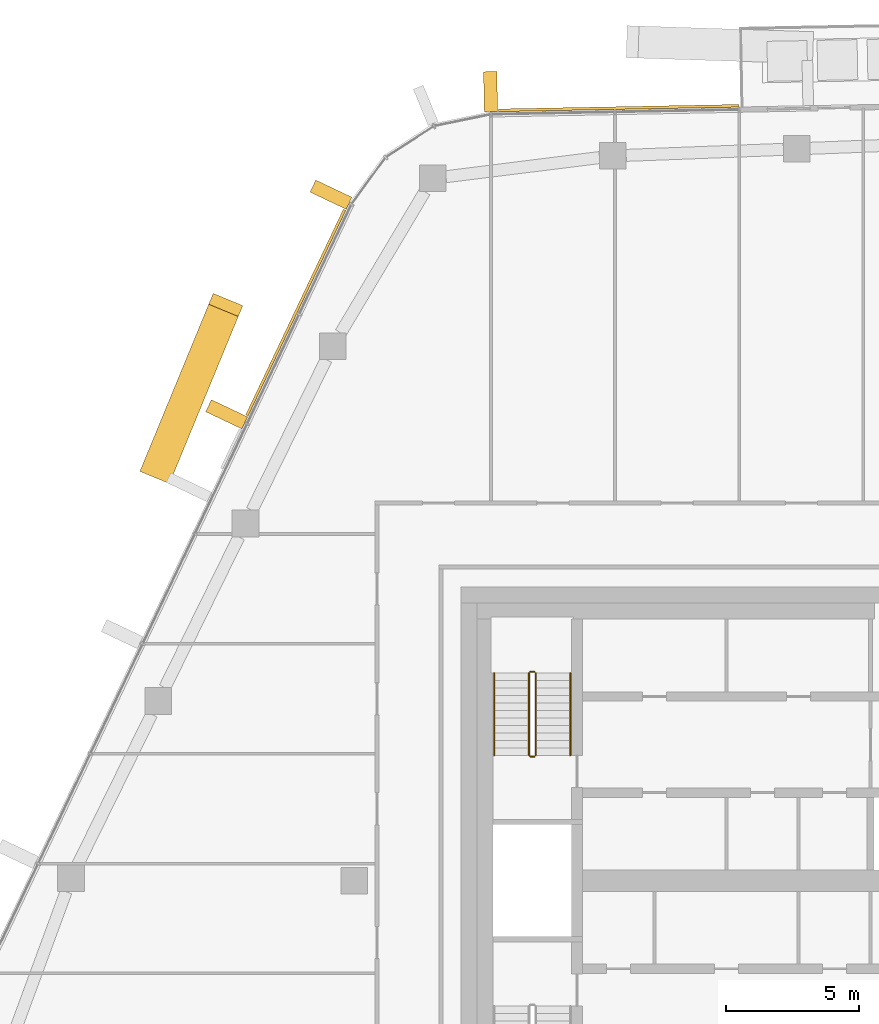
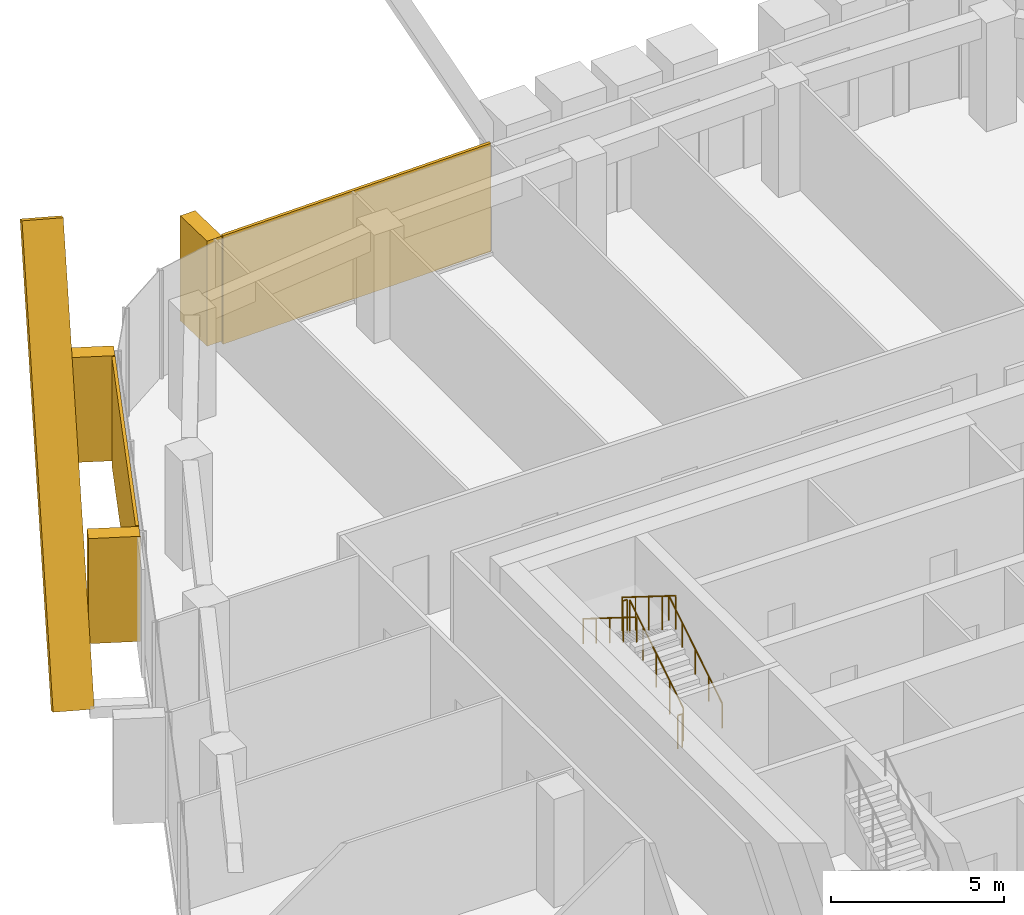
# One storey, part 22 of 24: 6 coverings, 6 railings, 2 elements without a shape of their own.
"""IFC4 building model written with IfcOpenShell, lengths in metres."""

from ifc_helpers import new_model, si_unit, direction, frame, origin, origin_2d, place, context, subcontext, project, spatial, rectangle, circle, extrude, material, layer, layer_set, material_profile, profile_set, type_object, element, aggregate, save


model = new_model("IFC4")

# Units and contexts
model_context = context("Model", 3, precision=1e-05, world=origin(), true_north=direction((0.0, 1.0)))
body_context = subcontext(model_context, "Body", "Model", "MODEL_VIEW")
ifc_project = project(units=[si_unit("LENGTHUNIT", "METRE"), si_unit("AREAUNIT", "SQUARE_METRE"), si_unit("VOLUMEUNIT", "CUBIC_METRE"), si_unit("PLANEANGLEUNIT", "RADIAN"), si_unit("MASSUNIT", "GRAM", prefix="KILO")], contexts=[model_context])

# Site, building, storey
site_placement = place(None, origin())
site = spatial("IfcSite", under=ifc_project, at=site_placement, CompositionType="ELEMENT")
building_placement = place(site_placement, origin())
building = spatial("IfcBuilding", under=site, at=building_placement, Name="Dongbaek Canopy Tower", CompositionType="ELEMENT")
storey_placement = place(building_placement, frame((0.0, 0.0, 298.39990234375)))
storey = spatial("IfcBuildingStorey", under=building, at=storey_placement, Name="L63", CompositionType="ELEMENT", Elevation=298.39990234375)

# Curtain wall, covering
ifc_material_1 = material(Name="Aluminium 6063-T6 pale anodised", Category="aluminium")
ifc_layer_1 = layer(ifc_material_1, 0.199951171875)
ifc_layer_set_1 = layer_set([ifc_layer_1], Name="CW-1 unitised tower curtain wall")
curtain_wall_type = type_object("IfcCurtainWallType", Name="CW-1 unitised tower curtain wall", PredefinedType="NOTDEFINED", material=ifc_layer_set_1)
curtain_wall_1_placement = place(storey_placement, origin())
curtain_wall_1 = element("IfcCurtainWall", 1, at=curtain_wall_1_placement, inside=storey, type_object=curtain_wall_type, Name="CW-1 curtain wall F2.1", PredefinedType="NOTDEFINED")
ifc_material_2 = material(Name="Aluminium 6063-T6 pale metal fin", Category="aluminium")
ifc_material_profile_1 = material_profile(ifc_material_2, rectangle(XDim=1.199951171875, YDim=0.5, at=origin_2d()), Name="Crease fin CF1 500 x 1200 pale metal")
ifc_profile_set_1 = profile_set([ifc_material_profile_1], Name="Aluminium 6063-T6 pale metal fin")
covering_type_1 = type_object("IfcCoveringType", Name="Crease fin CF1 500 x 1200 pale metal", PredefinedType="CLADDING", material=ifc_profile_set_1)
covering_1_placement = place(storey_placement, frame((-25.3974609375, 15.3134765625, -0.18994140625), z_axis=(0.180367059386, 0.437870944246, 0.880759195282), x_axis=(-0.924628086998, 0.380871239048, 0.0)))
covering_1 = element("IfcCovering", 2, at=covering_1_placement, type_object=covering_type_1, Name="Crease fin L63 L66 F2", PredefinedType="CLADDING", context=body_context, shape_type="SweptSolid", body=[
    extrude(rectangle(XDim=1.199951171875, YDim=0.5, at=origin_2d()), origin(), (0.0, 0.0, 1.0), 14.305908203125),
])

curtain_wall_2_placement = place(storey_placement, origin())
curtain_wall_2 = element("IfcCurtainWall", 3, at=curtain_wall_2_placement, inside=storey, type_object=curtain_wall_type, Name="CW-1 curtain wall F1.1", PredefinedType="NOTDEFINED")
ifc_material_3 = material(Name="Perforated aluminium 6063-T6 pale metal screen", Category="aluminium")
ifc_layer_2 = layer(ifc_material_3, 0.10009765625)
ifc_layer_set_2 = layer_set([ifc_layer_2], Name="Facet screen FS1 100 pale metal")
covering_type_2 = type_object("IfcCoveringType", Name="Facet screen FS1 100 pale metal", PredefinedType="CLADDING", material=ifc_layer_set_2)
covering_2_placement = place(storey_placement, frame((-8.0830078125, 28.95751953125, 0.0), z_axis=(0.0, 0.0, 1.0), x_axis=(-0.999821298126, -0.0189042803, 0.0)))
covering_2 = element("IfcCovering", 4, at=covering_2_placement, type_object=covering_type_2, Name="Facet screen L63 F1", PredefinedType="CLADDING", context=body_context, shape_type="SweptSolid", body=[
    extrude(rectangle(XDim=9.01220703125, YDim=0.10009765625, at=origin_2d()), origin(), (0.0, 0.0, 1.0), 3.820068359375),
])

# Covering
covering_3_placement = place(storey_placement, frame((-20.193603515625, 21.29248046875, 0.0), z_axis=(0.0, 0.0, 1.0), x_axis=(-0.42914323553, -0.903236449331, 0.0)))
covering_3 = element("IfcCovering", 5, at=covering_3_placement, type_object=covering_type_2, Name="Facet screen L63 F2", PredefinedType="CLADDING", context=body_context, shape_type="SweptSolid", body=[
    extrude(rectangle(XDim=8.53271484375, YDim=0.10009765625, at=origin_2d()), origin(), (0.0, 0.0, 1.0), 3.820068359375),
])

ifc_material_4 = material(Name="Aluminium 6063-T6 pale metal fin", Category="aluminium")
ifc_material_profile_2 = material_profile(ifc_material_4, rectangle(XDim=1.5, YDim=0.5, at=origin_2d()), Name="Fin FN1 500 x 1500 pale metal")
ifc_profile_set_2 = profile_set([ifc_material_profile_2], Name="Aluminium 6063-T6 pale metal fin")
covering_type_3 = type_object("IfcCoveringType", Name="Fin FN1 500 x 1500 pale metal", PredefinedType="CLADDING", material=ifc_profile_set_2)
covering_4_placement = place(storey_placement, frame((-12.8916015625, 29.57080078125, 0.1201171875), z_axis=(0.0, 0.0, 1.0), x_axis=(-0.018905076744, 0.999821283067, 0.0)))
covering_4 = element("IfcCovering", 6, at=covering_4_placement, type_object=covering_type_3, Name="Fin F1.1.3", PredefinedType="CLADDING", context=body_context, shape_type="SweptSolid", body=[
    extrude(rectangle(XDim=1.5, YDim=0.5, at=origin_2d()), origin(), (0.0, 0.0, 1.0), 3.699951171875),
])

aggregate(curtain_wall_2, [covering_4, covering_2])

covering_5_placement = place(storey_placement, frame((-18.8740234375, 25.710205078125, 0.1201171875), z_axis=(0.0, 0.0, 1.0), x_axis=(-0.903236413866, 0.429143310174, 0.0)))
covering_5 = element("IfcCovering", 7, at=covering_5_placement, type_object=covering_type_3, Name="Fin F2.1.1", PredefinedType="CLADDING", context=body_context, shape_type="SweptSolid", body=[
    extrude(rectangle(XDim=1.5, YDim=0.5, at=origin_2d()), origin(), (0.0, 0.0, 1.0), 3.699951171875),
])

covering_6_placement = place(storey_placement, frame((-22.78466796875, 17.47900390625, 0.1201171875), z_axis=(0.0, 0.0, 1.0), x_axis=(-0.903236413866, 0.429143310174, 0.0)))
covering_6 = element("IfcCovering", 8, at=covering_6_placement, type_object=covering_type_3, Name="Fin F2.1.3", PredefinedType="CLADDING", context=body_context, shape_type="SweptSolid", body=[
    extrude(rectangle(XDim=1.5, YDim=0.5, at=origin_2d()), origin(), (0.0, 0.0, 1.0), 3.699951171875),
])

aggregate(curtain_wall_1, [covering_5, covering_6, covering_1, covering_3])

# Railings
ifc_material_5 = material(Name="Stainless steel tube and balusters", Category="steel")
railing_type_1 = type_object("IfcRailingType", Name="Stair guard 1200", PredefinedType="GUARDRAIL", material=ifc_material_5)
railing_1_placement = place(storey_placement, frame((-11.199951171875, 4.699951171875, 0.175048828125)))
element("IfcRailing", 9, at=railing_1_placement, inside=storey, type_object=railing_type_1, Name="L63 ST-C stair guard 1", PredefinedType="GUARDRAIL", context=body_context, shape_type="SweptSolid", body=[
    extrude(circle(Radius=0.02392578125, at=origin_2d()), frame((0.0, 0.0, 1.17578125), z_axis=(0.0, 0.847998304005, 0.529998940003), x_axis=(-1.0, 0.0, 0.0)), (0.0, 0.0, 1.0), 3.632080078125),
    extrude(circle(Radius=0.02099609375, at=origin_2d()), origin(), (0.0, 0.0, 1.0), 1.15185546875),
    extrude(circle(Radius=0.02099609375, at=origin_2d()), frame((0.0, 0.77001953125, 0.481201171875)), (0.0, 0.0, 1.0), 1.15185546875),
    extrude(circle(Radius=0.02099609375, at=origin_2d()), frame((0.0, 1.5400390625, 0.96240234375)), (0.0, 0.0, 1.0), 1.15185546875),
    extrude(circle(Radius=0.02099609375, at=origin_2d()), frame((0.0, 2.31005859375, 1.44384765625)), (0.0, 0.0, 1.0), 1.15185546875),
    extrude(circle(Radius=0.02099609375, at=origin_2d()), frame((0.0, 3.080078125, 1.925048828125)), (0.0, 0.0, 1.0), 1.15185546875),
])
railing_2_placement = place(storey_placement, frame((-11.25, 7.830078125, 2.10009765625)))
element("IfcRailing", 10, at=railing_2_placement, inside=storey, type_object=railing_type_1, Name="L63 ST-C stair guard 2", PredefinedType="GUARDRAIL", context=body_context, shape_type="SweptSolid", body=[
    extrude(circle(Radius=0.02392578125, at=origin_2d()), frame((0.0, 0.0, 1.17578125), z_axis=(-1.0, 0.0, 0.0), x_axis=(0.0, -1.0, 0.0)), (0.0, 0.0, 1.0), 0.14990234375),
    extrude(circle(Radius=0.02099609375, at=origin_2d()), origin(), (0.0, 0.0, 1.0), 1.15185546875),
    extrude(circle(Radius=0.02099609375, at=origin_2d()), frame((-0.14990234375, 0.0, 0.0)), (0.0, 0.0, 1.0), 1.15185546875),
])
railing_3_placement = place(storey_placement, frame((-11.449951171875, 7.780029296875, 2.275146484375)))
element("IfcRailing", 11, at=railing_3_placement, inside=storey, type_object=railing_type_1, Name="L63 ST-C stair guard 3", PredefinedType="GUARDRAIL", context=body_context, shape_type="SweptSolid", body=[
    extrude(circle(Radius=0.02392578125, at=origin_2d()), frame((0.0, 0.0, 1.17578125), z_axis=(0.0, -0.847998304005, 0.529998940003), x_axis=(1.0, 0.0, 0.0)), (0.0, 0.0, 1.0), 3.632080078125),
    extrude(circle(Radius=0.02099609375, at=origin_2d()), origin(), (0.0, 0.0, 1.0), 1.15185546875),
    extrude(circle(Radius=0.02099609375, at=origin_2d()), frame((0.0, -0.77001953125, 0.481201171875)), (0.0, 0.0, 1.0), 1.15185546875),
    extrude(circle(Radius=0.02099609375, at=origin_2d()), frame((0.0, -1.5400390625, 0.96240234375)), (0.0, 0.0, 1.0), 1.15185546875),
    extrude(circle(Radius=0.02099609375, at=origin_2d()), frame((0.0, -2.31005859375, 1.44384765625)), (0.0, 0.0, 1.0), 1.15185546875),
    extrude(circle(Radius=0.02099609375, at=origin_2d()), frame((0.0, -3.080078125, 1.925048828125)), (0.0, 0.0, 1.0), 1.15185546875),
])
railing_4_placement = place(storey_placement, frame((-11.25, 4.64990234375, 0.0)))
element("IfcRailing", 12, at=railing_4_placement, inside=storey, type_object=railing_type_1, Name="L63 ST-C stair guard 4", PredefinedType="GUARDRAIL", context=body_context, shape_type="SweptSolid", body=[
    extrude(circle(Radius=0.02392578125, at=origin_2d()), frame((0.0, 0.0, 1.17578125), z_axis=(-1.0, 0.0, 0.0), x_axis=(0.0, -1.0, 0.0)), (0.0, 0.0, 1.0), 0.14990234375),
    extrude(circle(Radius=0.02099609375, at=origin_2d()), origin(), (0.0, 0.0, 1.0), 1.15185546875),
    extrude(circle(Radius=0.02099609375, at=origin_2d()), frame((-0.14990234375, 0.0, 0.0)), (0.0, 0.0, 1.0), 1.15185546875),
])
ifc_material_6 = material(Name="Stainless steel tube", Category="steel")
railing_type_2 = type_object("IfcRailingType", Name="Stair handrail 900", PredefinedType="HANDRAIL", material=ifc_material_6)
railing_5_placement = place(storey_placement, frame((-9.89990234375, 4.699951171875, 0.175048828125)))
element("IfcRailing", 13, at=railing_5_placement, inside=storey, type_object=railing_type_2, Name="L63 ST-C stair handrail 1", PredefinedType="HANDRAIL", context=body_context, shape_type="SweptSolid", body=[
    extrude(circle(Radius=0.02392578125, at=origin_2d()), frame((0.0, 0.0, 0.8759765625), z_axis=(0.0, 0.847998304005, 0.529998940003), x_axis=(-1.0, 0.0, 0.0)), (0.0, 0.0, 1.0), 3.632080078125),
    extrude(circle(Radius=0.02099609375, at=origin_2d()), origin(), (0.0, 0.0, 1.0), 0.851806640625),
    extrude(circle(Radius=0.02099609375, at=origin_2d()), frame((0.0, 0.77001953125, 0.481201171875)), (0.0, 0.0, 1.0), 0.851806640625),
    extrude(circle(Radius=0.02099609375, at=origin_2d()), frame((0.0, 1.5400390625, 0.96240234375)), (0.0, 0.0, 1.0), 0.851806640625),
    extrude(circle(Radius=0.02099609375, at=origin_2d()), frame((0.0, 2.31005859375, 1.44384765625)), (0.0, 0.0, 1.0), 0.851806640625),
    extrude(circle(Radius=0.02099609375, at=origin_2d()), frame((0.0, 3.080078125, 1.925048828125)), (0.0, 0.0, 1.0), 0.851806640625),
])
railing_6_placement = place(storey_placement, frame((-12.75, 7.780029296875, 2.275146484375)))
element("IfcRailing", 14, at=railing_6_placement, inside=storey, type_object=railing_type_2, Name="L63 ST-C stair handrail 2", PredefinedType="HANDRAIL", context=body_context, shape_type="SweptSolid", body=[
    extrude(circle(Radius=0.02392578125, at=origin_2d()), frame((0.0, 0.0, 0.8759765625), z_axis=(0.0, -0.847998304005, 0.529998940003), x_axis=(1.0, 0.0, 0.0)), (0.0, 0.0, 1.0), 3.632080078125),
    extrude(circle(Radius=0.02099609375, at=origin_2d()), origin(), (0.0, 0.0, 1.0), 0.851806640625),
    extrude(circle(Radius=0.02099609375, at=origin_2d()), frame((0.0, -0.77001953125, 0.481201171875)), (0.0, 0.0, 1.0), 0.851806640625),
    extrude(circle(Radius=0.02099609375, at=origin_2d()), frame((0.0, -1.5400390625, 0.96240234375)), (0.0, 0.0, 1.0), 0.851806640625),
    extrude(circle(Radius=0.02099609375, at=origin_2d()), frame((0.0, -2.31005859375, 1.44384765625)), (0.0, 0.0, 1.0), 0.851806640625),
    extrude(circle(Radius=0.02099609375, at=origin_2d()), frame((0.0, -3.080078125, 1.925048828125)), (0.0, 0.0, 1.0), 0.851806640625),
])

save(model, "model.ifc")
